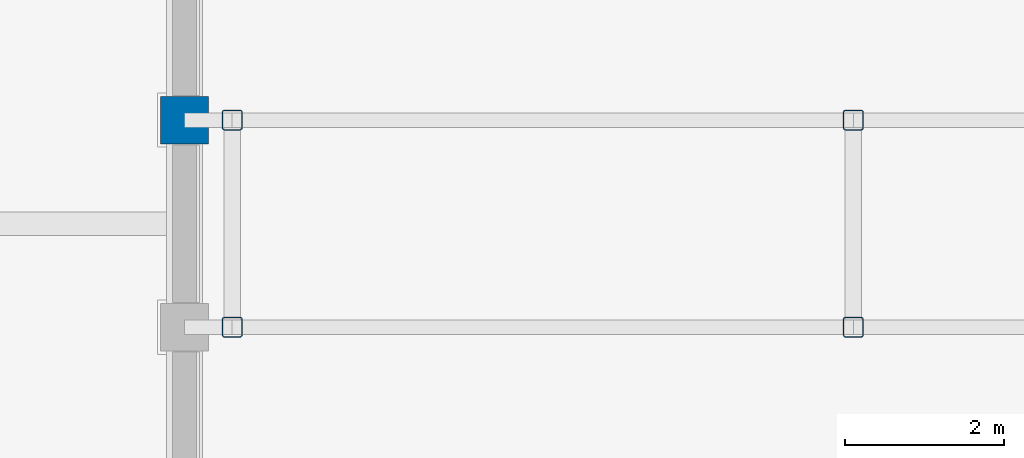
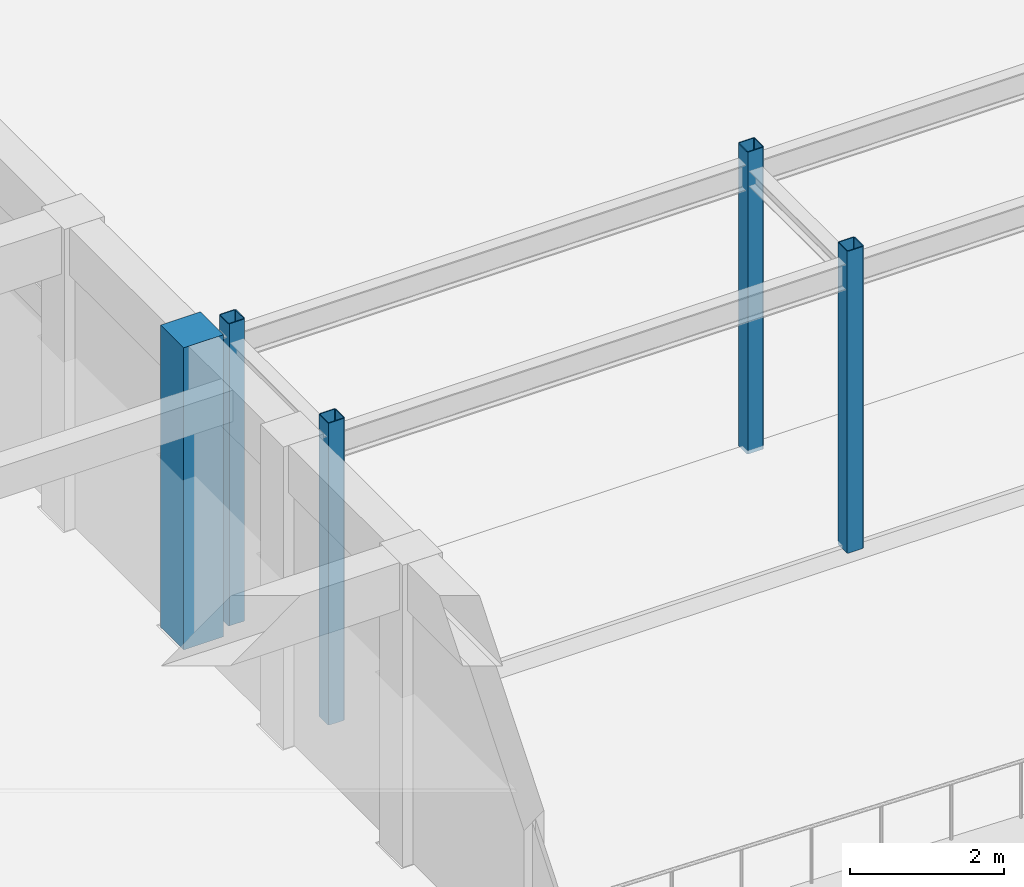
# One storey, part 8 of 58: 5 columns.
"""IFC4 building model written with IfcOpenShell, lengths in metres."""

from ifc_helpers import new_model, si_unit, direction, frame, origin, origin_2d, place, context, subcontext, project, spatial, rectangle, hollow_rectangle, extrude, material, material_profile, profile_set, type_object, element, save


model = new_model("IFC4")

# Units and contexts
model_context = context("Model", 3, precision=1e-05, world=origin(), true_north=direction((0.0, 1.0)))
body_context = subcontext(model_context, "Body", "Model", "MODEL_VIEW")
ifc_project = project(units=[si_unit("LENGTHUNIT", "METRE"), si_unit("AREAUNIT", "SQUARE_METRE"), si_unit("VOLUMEUNIT", "CUBIC_METRE"), si_unit("PLANEANGLEUNIT", "RADIAN"), si_unit("MASSUNIT", "GRAM", prefix="KILO")], contexts=[model_context])

# Site, building, storey
site_placement = place(None, origin())
site = spatial("IfcSite", under=ifc_project, at=site_placement, CompositionType="ELEMENT")
building_placement = place(site_placement, origin())
building = spatial("IfcBuilding", under=site, at=building_placement, Name="Kemercrest Conservatory and Botanical Centre", CompositionType="ELEMENT")
storey_placement = place(building_placement, origin())
storey = spatial("IfcBuildingStorey", under=building, at=storey_placement, Name="L00", CompositionType="ELEMENT", Elevation=0.0)

# Columns
ifc_material_1 = material(Name="Concrete C40/50", Category="concrete")
ifc_material_profile_1 = material_profile(ifc_material_1, rectangle(XDim=0.60009765625, YDim=0.60009765625, at=origin_2d()), Name="RC 600x600")
ifc_profile_set_1 = profile_set([ifc_material_profile_1], Name="Concrete C40/50")
column_type_1 = type_object("IfcColumnType", Name="C-RC60", PredefinedType="COLUMN", material=ifc_profile_set_1)
column_placement = place(storey_placement, frame((92.0, 101.699951171875, 0.0), z_axis=(0.0, 0.0, 1.0), x_axis=(1.0, 0.0, 0.0)))
element("IfcColumn", 1, at=column_placement, inside=storey, type_object=column_type_1, Name="North Courtyard Covered Passage SJ-3 org pier column 2", PredefinedType="COLUMN", context=body_context, shape_type="SweptSolid", body=[
    extrude(rectangle(XDim=0.60009765625, YDim=0.60009765625, at=origin_2d()), origin(), (0.0, 0.0, 1.0), 4.800048828125),
])
ifc_material_2 = material(Name="Steel CSA G40.21 350W", Category="steel")
ifc_material_profile_2 = material_profile(ifc_material_2, hollow_rectangle(XDim=0.25390625, YDim=0.25390625, WallThickness=0.0126953125, InnerFilletRadius=0.0126953125, OuterFilletRadius=0.02490234375, at=origin_2d()), Name="HSS 254x254x12.7")
ifc_profile_set_2 = profile_set([ifc_material_profile_2], Name="Steel CSA G40.21 350W")
column_type_2 = type_object("IfcColumnType", Name="C-S254", PredefinedType="COLUMN", material=ifc_profile_set_2)
for number, where, z_axis, x_axis, name in (
    (2, (92.60009765625, 99.10009765625, 0.0), (0.0, 0.0, 1.0), (1.0, 0.0, 0.0), "North Courtyard Covered Passage SJ-3 support column P0-1"),
    (3, (92.60009765625, 101.699951171875, 0.0), (0.0, 0.0, 1.0), (1.0, 0.0, 0.0), "North Courtyard Covered Passage SJ-3 support column P0-2"),
    (4, (100.39990234375, 99.10009765625, 0.0), (0.0, 0.0, 1.0), (1.0, 0.0, 0.0), "North Courtyard Covered Passage SJ-3 support column P1-1"),
    (5, (100.39990234375, 101.699951171875, 0.0), (0.0, 0.0, 1.0), (1.0, 0.0, 0.0), "North Courtyard Covered Passage SJ-3 support column P1-2"),
):
    element("IfcColumn", number, at=place(storey_placement, frame(where, z_axis=z_axis, x_axis=x_axis)), inside=storey, type_object=column_type_2, Name=name, PredefinedType="COLUMN", context=body_context, shape_type="SweptSolid", body=[
        extrude(hollow_rectangle(XDim=0.25390625, YDim=0.25390625, WallThickness=0.0126953125, InnerFilletRadius=0.0126953125, OuterFilletRadius=0.02490234375, at=origin_2d()), origin(), (0.0, 0.0, 1.0), 4.800048828125),
    ])

save(model, "model.ifc")
